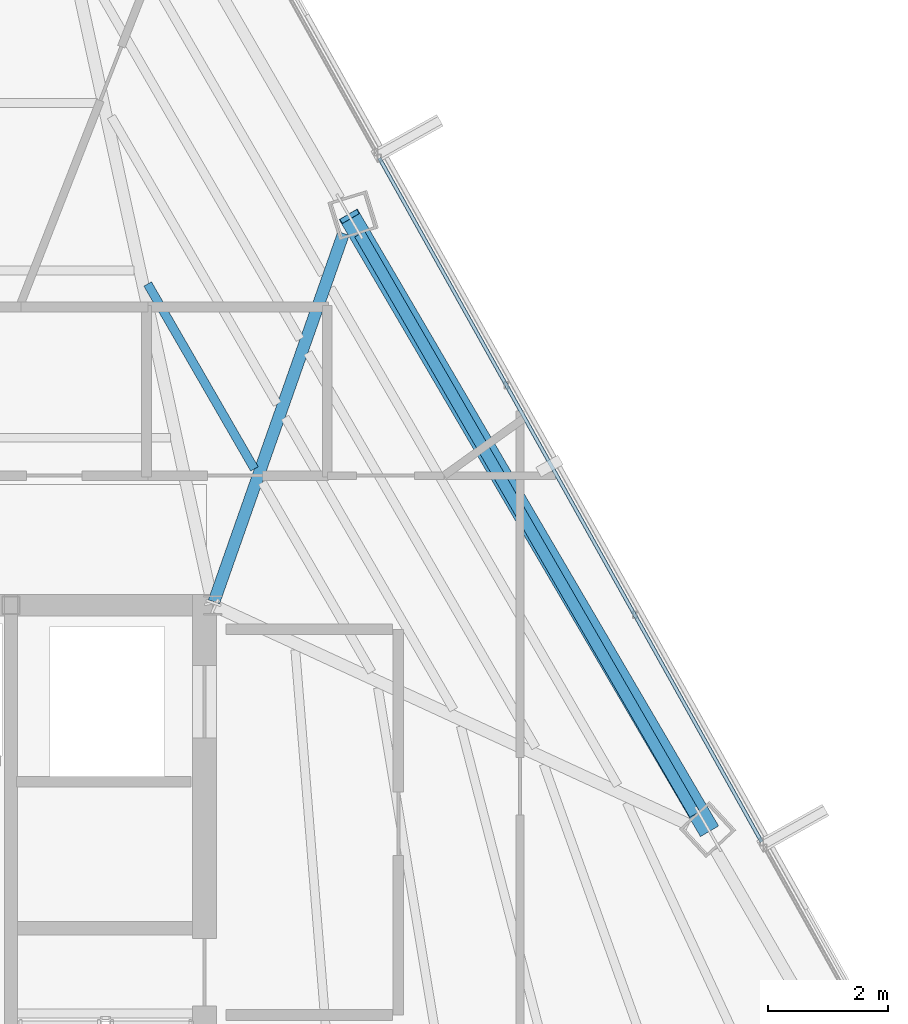
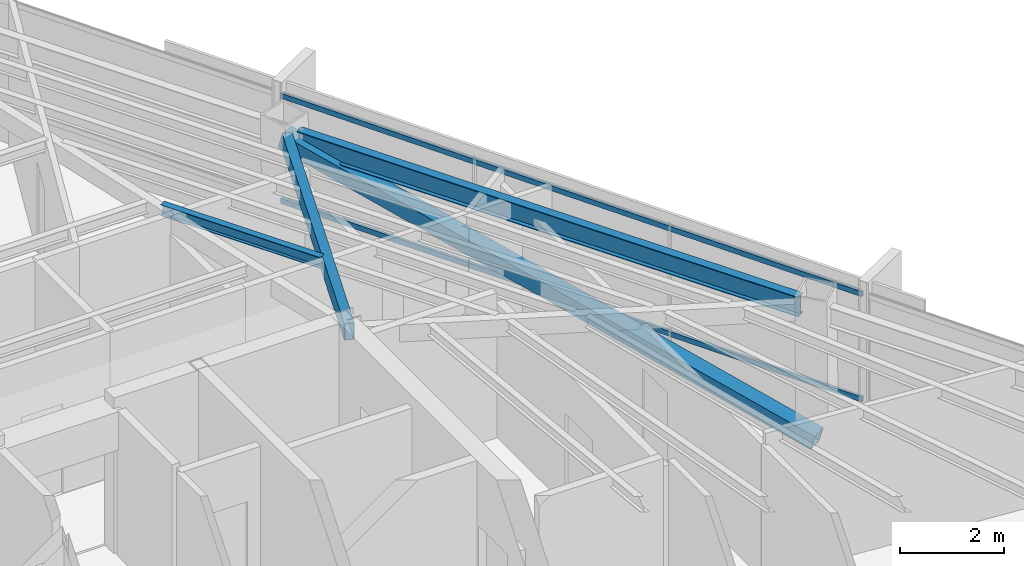
# One storey, part 29 of 46: 3 beams, 3 members, 1 element without a shape of its own.
"""IFC4 building model written with IfcOpenShell, lengths in metres."""

from ifc_helpers import new_model, si_unit, direction, frame, origin, origin_2d, place, context, subcontext, project, spatial, hollow_rectangle, i_section, extrude, source, transform, mapped, material, material_profile, profile_set, type_object, type_shapes, element, aggregate, save


model = new_model("IFC4")

# Units and contexts
model_context = context("Model", 3, precision=1e-05, world=origin(), true_north=direction((0.0, 1.0)))
body_context = subcontext(model_context, "Body", "Model", "MODEL_VIEW")
ifc_project = project(units=[si_unit("LENGTHUNIT", "METRE"), si_unit("AREAUNIT", "SQUARE_METRE"), si_unit("VOLUMEUNIT", "CUBIC_METRE"), si_unit("PLANEANGLEUNIT", "RADIAN"), si_unit("MASSUNIT", "GRAM", prefix="KILO")], contexts=[model_context])

# Site, building, storey
site_placement = place(None, origin())
site = spatial("IfcSite", under=ifc_project, at=site_placement, CompositionType="ELEMENT")
building_placement = place(site_placement, origin())
building = spatial("IfcBuilding", under=site, at=building_placement, Name="Caelisora Broadcast Tower", CompositionType="ELEMENT")
storey_placement = place(building_placement, frame((0.0, 0.0, 251.75)))
storey = spatial("IfcBuildingStorey", under=building, at=storey_placement, Name="L66", CompositionType="ELEMENT", Elevation=251.75)

# Beams
ifc_material_1 = material(Name="Steel Grade 350 (AS/NZS 3679.1)", Category="steel")
ifc_material_profile_1 = material_profile(ifc_material_1, i_section(OverallWidth=0.19091796875, OverallDepth=0.46044921875, WebThickness=0.010009765625, FlangeThickness=0.01611328125, at=origin_2d()), Name="Steel Grade 350 (AS/NZS 3679.1)")
ifc_profile_set_1 = profile_set([ifc_material_profile_1], Name="Steel Grade 350 (AS/NZS 3679.1)")
beam_type_1 = type_object("IfcBeamType", Name="PG06", PredefinedType="BEAM", material=ifc_profile_set_1)
shared_shape_1 = source(origin(), body_context, "Body", "SweptSolid", [
    extrude(i_section(OverallWidth=0.19091796875, OverallDepth=0.46044921875, WebThickness=0.010009765625, FlangeThickness=0.01611328125, at=origin_2d()), origin(), (0.0, 0.0, 1.0), 11.124267578125),
])
type_shapes(beam_type_1, [shared_shape_1])
beam_1_placement = place(storey_placement, frame((53.501220703125, 26.527099609375, 3.169921875), z_axis=(-0.500012482886, 0.866018196667, 0.0), x_axis=(-0.866018196667, -0.500012482886, 0.0)))
element("IfcBeam", 1, at=beam_1_placement, inside=storey, type_object=beam_type_1, Name="L66 beam PG06", PredefinedType="BEAM", context=body_context, shape_type="MappedRepresentation", body=[
    mapped(shared_shape_1, transform((0.0, 0.0, 0.0), scale=1.0)),
])
ifc_material_2 = material(Name="Steel Grade 350 (AS/NZS 1163 C350L0)", Category="steel")
ifc_material_profile_2 = material_profile(ifc_material_2, hollow_rectangle(XDim=0.199951171875, YDim=0.39990234375, WallThickness=0.012451171875, at=origin_2d()), Name="Steel Grade 350 (AS/NZS 1163 C350L0)")
ifc_profile_set_2 = profile_set([ifc_material_profile_2], Name="Steel Grade 350 (AS/NZS 1163 C350L0)")
beam_type_2 = type_object("IfcBeamType", Name="PG07", PredefinedType="BEAM", material=ifc_profile_set_2)
shared_shape_2 = source(origin(), body_context, "Body", "SweptSolid", [
    extrude(hollow_rectangle(XDim=0.199951171875, YDim=0.39990234375, WallThickness=0.012451171875, at=origin_2d()), origin(), (0.0, 0.0, 1.0), 6.483154296875),
])
type_shapes(beam_type_2, [shared_shape_2])
beam_2_placement = place(storey_placement, frame((45.52001953125, 30.056640625, 3.199951171875), z_axis=(0.331797615993, 0.943350593375, 0.0), x_axis=(-0.943350593375, 0.331797615993, 0.0)))
element("IfcBeam", 2, at=beam_2_placement, inside=storey, type_object=beam_type_2, Name="L66 beam PG07", PredefinedType="BEAM", context=body_context, shape_type="MappedRepresentation", body=[
    mapped(shared_shape_2, transform((0.0, 0.0, 0.0), scale=1.0)),
])
ifc_material_profile_3 = material_profile(ifc_material_1, i_section(OverallWidth=0.14599609375, OverallDepth=0.256103515625, WebThickness=0.00634765625, FlangeThickness=0.010986328125, at=origin_2d()), Name="Steel Grade 350 (AS/NZS 3679.1)")
ifc_profile_set_3 = profile_set([ifc_material_profile_3], Name="Steel Grade 350 (AS/NZS 3679.1)")
beam_type_3 = type_object("IfcBeamType", Name="SB04", PredefinedType="JOIST", material=ifc_profile_set_3)
shared_shape_3 = source(origin(), body_context, "Body", "SweptSolid", [
    extrude(i_section(OverallWidth=0.14599609375, OverallDepth=0.256103515625, WebThickness=0.00634765625, FlangeThickness=0.010986328125, at=origin_2d()), origin(), (0.0, 0.0, 1.0), 3.54443359375),
])
type_shapes(beam_type_3, [shared_shape_3])
beam_3_placement = place(storey_placement, frame((46.1923828125, 32.2626953125, 3.27197265625), z_axis=(-0.499998711885, 0.866026147477, 0.0), x_axis=(-0.866026147477, -0.499998711885, 0.0)))
element("IfcBeam", 3, at=beam_3_placement, inside=storey, type_object=beam_type_3, Name="L66 beam SB04", PredefinedType="JOIST", context=body_context, shape_type="MappedRepresentation", body=[
    mapped(shared_shape_3, transform((0.0, 0.0, 0.0), scale=1.0)),
])

# Member
ifc_material_3 = material(Name="Steel Grade 450 (AS/NZS 1163 C450L0)", Category="steel")
ifc_material_profile_4 = material_profile(ifc_material_3, hollow_rectangle(XDim=0.35009765625, YDim=0.35009765625, WallThickness=0.012451171875, at=origin_2d()), Name="Steel Grade 450 (AS/NZS 1163 C450L0)")
ifc_profile_set_4 = profile_set([ifc_material_profile_4], Name="Steel Grade 450 (AS/NZS 1163 C450L0)")
member_type_1 = type_object("IfcMemberType", Name="BR05", PredefinedType="BRACE", material=ifc_profile_set_4)
shared_shape_4 = source(origin(), body_context, "Body", "SweptSolid", [
    extrude(hollow_rectangle(XDim=0.35009765625, YDim=0.35009765625, WallThickness=0.012451171875, at=origin_2d()), origin(), (0.0, 0.0, 1.0), 12.159912109375),
])
type_shapes(member_type_1, [shared_shape_4])
member_1_placement = place(storey_placement, frame((53.724609375, 26.28466796875, 0.10009765625), z_axis=(-0.489688338895, 0.836264809007, 0.246711369756), x_axis=(-0.862939115504, -0.505307909035, 0.0)))
element("IfcMember", 4, at=member_1_placement, inside=storey, type_object=member_type_1, Name="L66 perimeter brace BR05", PredefinedType="BRACE", context=body_context, shape_type="MappedRepresentation", body=[
    mapped(shared_shape_4, transform((0.0, 0.0, 0.0), scale=1.0)),
])

# Curtain wall, members
ifc_material_4 = material(Name="Unitised Aluminium Insulated Shadow-Box Spandrel Curtain Wall", Category="aluminium")
curtain_wall_type = type_object("IfcCurtainWallType", Name="CW-SP3", PredefinedType="NOTDEFINED", material=ifc_material_4)
curtain_wall_placement = place(storey_placement, origin())
curtain_wall = element("IfcCurtainWall", 5, at=curtain_wall_placement, inside=storey, type_object=curtain_wall_type, Name="L66 curtain wall CW-SP3", PredefinedType="NOTDEFINED")
ifc_material_5 = material(Name="Aluminium 6063-T6 Anodised Terracotta Bronze", Category="aluminium")
ifc_material_profile_5 = material_profile(ifc_material_5, hollow_rectangle(XDim=0.06005859375, YDim=0.1201171875, WallThickness=0.0029296875, at=origin_2d()), Name="Aluminium 6063-T6 Anodised Terracotta Bronze")
ifc_profile_set_5 = profile_set([ifc_material_profile_5], Name="Aluminium 6063-T6 Anodised Terracotta Bronze")
member_type_2 = type_object("IfcMemberType", Name="CWT-03", PredefinedType="USERDEFINED", material=ifc_profile_set_5)
shared_shape_5 = source(origin(), body_context, "Body", "SweptSolid", [
    extrude(hollow_rectangle(XDim=0.06005859375, YDim=0.1201171875, WallThickness=0.0029296875, at=origin_2d()), origin(), (0.0, 0.0, 1.0), 13.006591796875),
])
type_shapes(member_type_2, [shared_shape_5])
member_2_placement = place(storey_placement, frame((48.264892578125, 37.423095703125, 0.85009765625), z_axis=(0.487980794945, -0.872854365725, 0.0), x_axis=(0.872854365725, 0.487980794945, 0.0)))
member_2 = element("IfcMember", 6, at=member_2_placement, type_object=member_type_2, Name="L66-CW-B02 transom #1", ObjectType="TRANSOM", PredefinedType="USERDEFINED", context=body_context, shape_type="MappedRepresentation", body=[
    mapped(shared_shape_5, transform((0.0, 0.0, 0.0), scale=1.0)),
])
member_3_placement = place(storey_placement, frame((48.264892578125, 37.423095703125, 3.320068359375), z_axis=(0.487980794945, -0.872854365725, 0.0), x_axis=(0.872854365725, 0.487980794945, 0.0)))
member_3 = element("IfcMember", 7, at=member_3_placement, type_object=member_type_2, Name="L66-CW-B02 transom #2", ObjectType="TRANSOM", PredefinedType="USERDEFINED", context=body_context, shape_type="MappedRepresentation", body=[
    mapped(shared_shape_5, transform((0.0, 0.0, 0.0), scale=1.0)),
])
aggregate(curtain_wall, [member_2, member_3])

save(model, "model.ifc")
